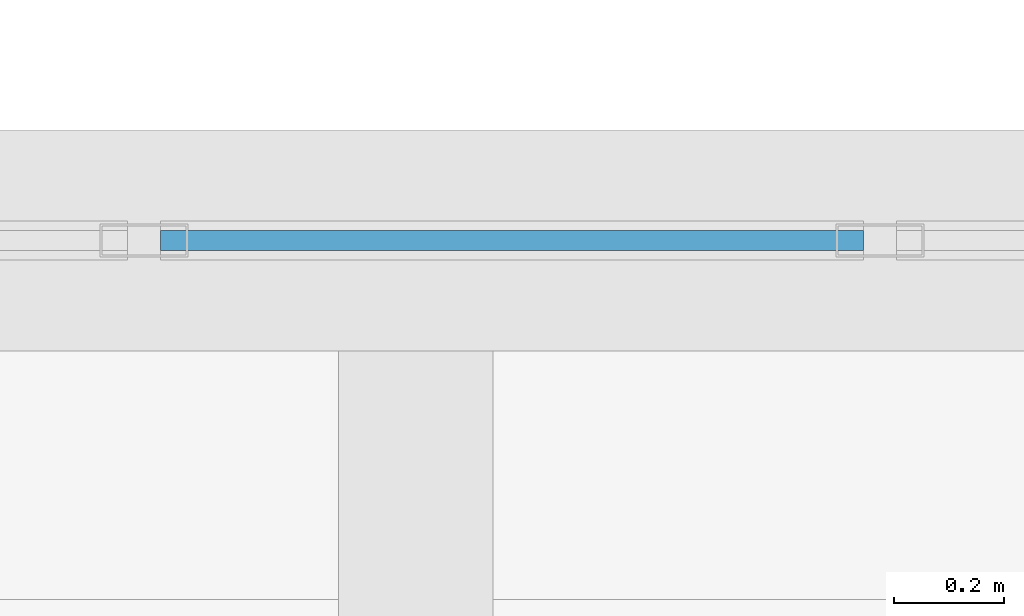
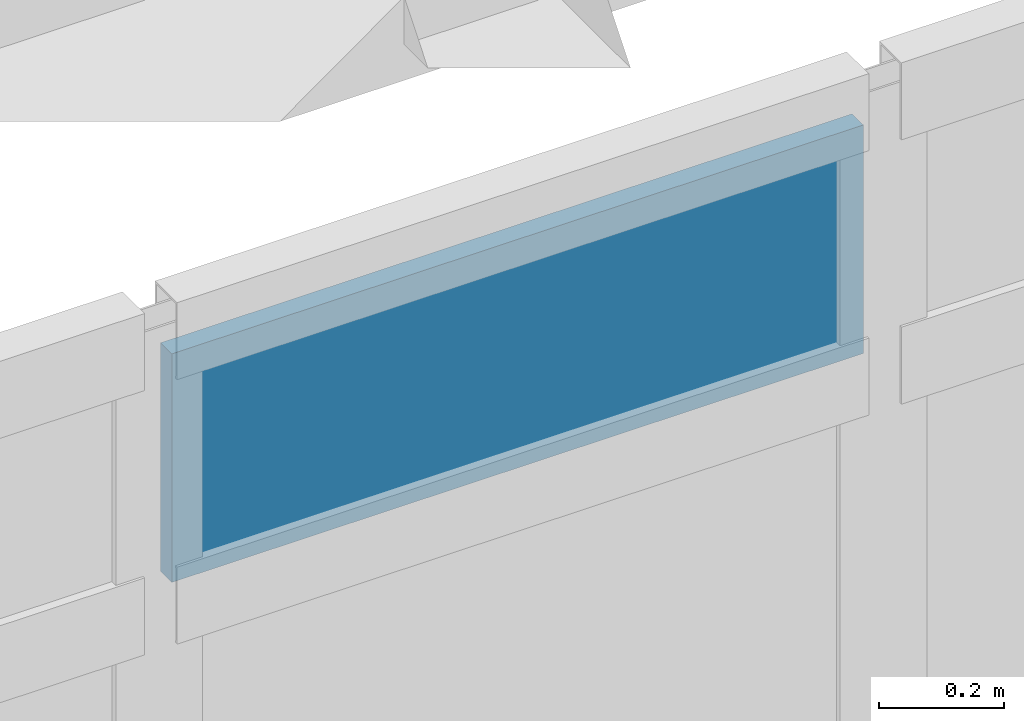
# One storey, part 98 of 138: 1 plate, 1 element without a shape of its own.
"""IFC4 building model written with IfcOpenShell, lengths in metres."""

from ifc_helpers import new_model, si_unit, direction, frame, origin, origin_2d, place, context, subcontext, project, spatial, rectangle, extrude, material, layer, layer_set, type_object, element, aggregate, save


model = new_model("IFC4")

# Units and contexts
model_context = context("Model", 3, precision=1e-05, world=origin(), true_north=direction((0.0, 1.0)))
body_context = subcontext(model_context, "Body", "Model", "MODEL_VIEW")
ifc_project = project(units=[si_unit("LENGTHUNIT", "METRE"), si_unit("AREAUNIT", "SQUARE_METRE"), si_unit("VOLUMEUNIT", "CUBIC_METRE"), si_unit("PLANEANGLEUNIT", "RADIAN"), si_unit("MASSUNIT", "GRAM", prefix="KILO")], contexts=[model_context])

# Site, building, storey
site_placement = place(None, origin())
site = spatial("IfcSite", under=ifc_project, at=site_placement, CompositionType="ELEMENT")
building_placement = place(site_placement, origin())
building = spatial("IfcBuilding", under=site, at=building_placement, Name="Fikremerkos Civic Library", CompositionType="ELEMENT")
storey_placement = place(building_placement, origin())
storey = spatial("IfcBuildingStorey", under=building, at=storey_placement, Name="L00", CompositionType="ELEMENT", Elevation=0.0)

# Curtain wall, plate
ifc_material_1 = material(Name="Anodized aluminium Frame", Category="aluminium")
ifc_layer_1 = layer(ifc_material_1, 0.159912109375, Name="Anodized aluminium Frame")
ifc_layer_set_1 = layer_set([ifc_layer_1], Name="Anodized aluminium Frame")
curtain_wall_type = type_object("IfcCurtainWallType", Name="Unitised curtain wall CW-18 2700x3400", PredefinedType="USERDEFINED", material=ifc_layer_set_1)
curtain_wall_placement = place(storey_placement, origin())
curtain_wall = element("IfcCurtainWall", 1, at=curtain_wall_placement, inside=storey, type_object=curtain_wall_type, Name="Unitised curtain wall CW-18 L00 #54", ObjectType="UNITISED CURTAIN WALL", PredefinedType="USERDEFINED")
ifc_material_2 = material(Name="Solar control double glazing", Category="glass")
ifc_layer_2 = layer(ifc_material_2, 0.035888671875, Name="Solar control double glazing")
ifc_layer_set_2 = layer_set([ifc_layer_2], Name="Solar control double glazing")
plate_type = type_object("IfcPlateType", Name="Curtain glazing panel CWP-02 36", PredefinedType="CURTAIN_PANEL", material=ifc_layer_set_2)
plate_placement = place(storey_placement, frame((127.3740234375, 117.60009765625, 3.61474609375), z_axis=(0.0, 0.0, 1.0), x_axis=(1.0, 0.0, 0.0)))
plate = element("IfcPlate", 2, at=plate_placement, type_object=plate_type, Name="CW-18 panel 2.3", PredefinedType="CURTAIN_PANEL", context=body_context, shape_type="SweptSolid", body=[
    extrude(rectangle(XDim=1.27392578125, YDim=0.035888671875, at=origin_2d()), origin(), (0.0, 0.0, 1.0), 0.445068359375),
])
aggregate(curtain_wall, [plate])

save(model, "model.ifc")
